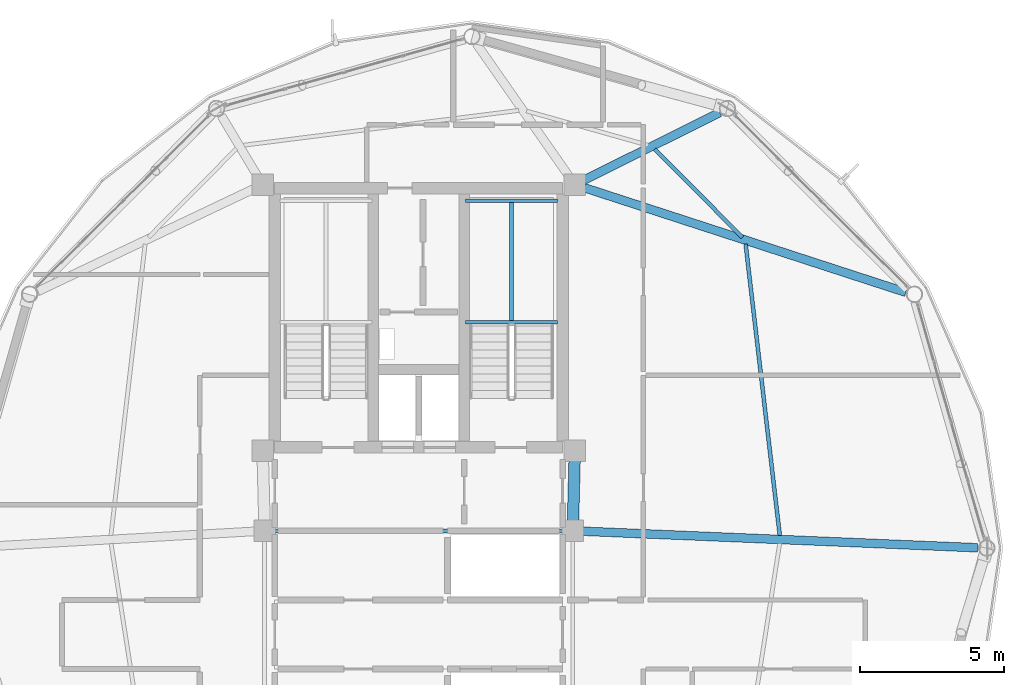
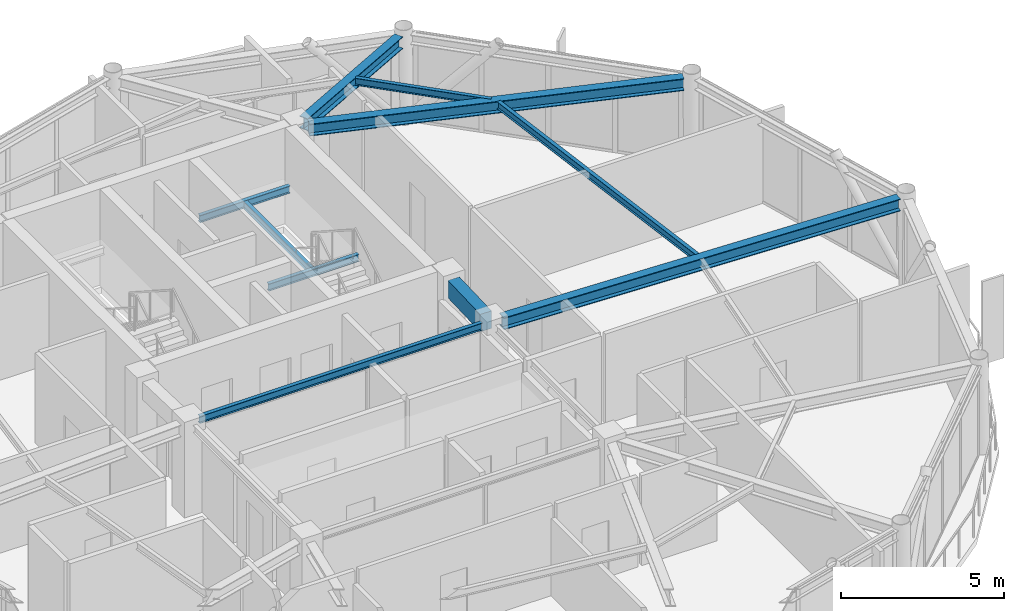
# One storey, part 12 of 24: 10 beams.
"""IFC4 building model written with IfcOpenShell, lengths in metres."""

from ifc_helpers import new_model, si_unit, direction, frame, origin, origin_2d, place, context, subcontext, project, spatial, rectangle, i_section, extrude, material, material_profile, profile_set, type_object, element, save


model = new_model("IFC4")

# Units and contexts
model_context = context("Model", 3, precision=1e-05, world=origin(), true_north=direction((0.0, 1.0)))
body_context = subcontext(model_context, "Body", "Model", "MODEL_VIEW")
ifc_project = project(units=[si_unit("LENGTHUNIT", "METRE"), si_unit("AREAUNIT", "SQUARE_METRE"), si_unit("VOLUMEUNIT", "CUBIC_METRE"), si_unit("PLANEANGLEUNIT", "RADIAN"), si_unit("MASSUNIT", "GRAM", prefix="KILO")], contexts=[model_context])

# Site, building, storey
site_placement = place(None, origin())
site = spatial("IfcSite", under=ifc_project, at=site_placement, CompositionType="ELEMENT")
building_placement = place(site_placement, origin())
building = spatial("IfcBuilding", under=site, at=building_placement, Name="Varnakorn Sky Granary", CompositionType="ELEMENT")
storey_placement = place(building_placement, frame((0.0, 0.0, 281.39990234375)))
storey = spatial("IfcBuildingStorey", under=building, at=storey_placement, Name="L72", CompositionType="ELEMENT", Elevation=281.39990234375)

# Beams
ifc_material_1 = material(Name="Concrete C50/60", Category="concrete")
ifc_material_profile_1 = material_profile(ifc_material_1, rectangle(XDim=0.39990234375, YDim=0.64990234375, at=origin_2d()), Name="RC 400x650")
ifc_profile_set_1 = profile_set([ifc_material_profile_1], Name="Concrete C50/60")
beam_type_1 = type_object("IfcBeamType", Name="BM-LIN-650", PredefinedType="LINTEL", material=ifc_profile_set_1)
beam_1_placement = place(storey_placement, frame((8.4111328125, 3.025146484375, 3.03515625), z_axis=(-0.025227817192, -0.999681727971, 0.0), x_axis=(0.999681727971, -0.025227817192, 0.0)))
element("IfcBeam", 1, at=beam_1_placement, inside=storey, type_object=beam_type_1, Name="Core Spine Framing Beam 2 L72", PredefinedType="LINTEL", context=body_context, shape_type="SweptSolid", body=[
    extrude(rectangle(XDim=0.39990234375, YDim=0.64990234375, at=origin_2d()), origin(), (0.0, 0.0, 1.0), 2.071044921875),
])
ifc_material_2 = material(Name="Steel S355JR", Category="steel")
ifc_material_profile_2 = material_profile(ifc_material_2, i_section(OverallWidth=0.135009765625, OverallDepth=0.27001953125, WebThickness=0.006591796875, FlangeThickness=0.01025390625, at=origin_2d()), Name="IPE 270")
ifc_profile_set_2 = profile_set([ifc_material_profile_2], Name="Steel S355JR")
beam_type_2 = type_object("IfcBeamType", Name="BM-LND-270", PredefinedType="BEAM", material=ifc_profile_set_2)
for number, where, z_axis, x_axis, name in (
    (2, (4.6201171875, 7.840087890625, 1.465087890625), (1.0, 0.0, 0.0), (0.0, 1.0, 0.0), "Stair ST-2 Landing Trimmer Beam A L72-1"),
    (3, (4.6201171875, 12.06005859375, 1.465087890625), (1.0, 0.0, 0.0), (0.0, 1.0, 0.0), "Stair ST-2 Landing Trimmer Beam B L72-1"),
):
    element("IfcBeam", number, at=place(storey_placement, frame(where, z_axis=z_axis, x_axis=x_axis)), inside=storey, type_object=beam_type_2, Name=name, PredefinedType="BEAM", context=body_context, shape_type="SweptSolid", body=[
        extrude(i_section(OverallWidth=0.135009765625, OverallDepth=0.27001953125, WebThickness=0.006591796875, FlangeThickness=0.01025390625, at=origin_2d()), origin(), (0.0, 0.0, 1.0), 3.199951171875),
    ])
beam_2_placement = place(storey_placement, frame((6.219970703125, 7.840087890625, 1.465087890625), z_axis=(0.0, 1.0, 0.0), x_axis=(-1.0, 0.0, 0.0)))
element("IfcBeam", 4, at=beam_2_placement, inside=storey, type_object=beam_type_2, Name="Stair ST-2 Landing Cross Beam C L72-1", PredefinedType="BEAM", context=body_context, shape_type="SweptSolid", body=[
    extrude(i_section(OverallWidth=0.135009765625, OverallDepth=0.27001953125, WebThickness=0.006591796875, FlangeThickness=0.01025390625, at=origin_2d()), origin(), (0.0, 0.0, 1.0), 4.219970703125),
])
ifc_material_profile_3 = material_profile(ifc_material_2, i_section(OverallWidth=0.300048828125, OverallDepth=0.449951171875, WebThickness=0.013916015625, FlangeThickness=0.02587890625, at=origin_2d()), Name="HE 450 B")
ifc_profile_set_3 = profile_set([ifc_material_profile_3], Name="Steel S355JR")
beam_type_3 = type_object("IfcBeamType", Name="BM-RAD-Z5", PredefinedType="BEAM", material=ifc_profile_set_3)
beam_3_placement = place(storey_placement, frame((8.70458984375, 0.585205078125, 3.135009765625), z_axis=(0.999122673349, -0.041879393494, 0.0), x_axis=(0.041879393494, 0.999122673349, 0.0)))
element("IfcBeam", 5, at=beam_3_placement, inside=storey, type_object=beam_type_3, Name="Radial Floor Girder RG01 L72", PredefinedType="BEAM", context=body_context, shape_type="SweptSolid", body=[
    extrude(i_section(OverallWidth=0.300048828125, OverallDepth=0.449951171875, WebThickness=0.013916015625, FlangeThickness=0.02587890625, at=origin_2d()), origin(), (0.0, 0.0, 1.0), 13.711181640625),
])
beam_4_placement = place(storey_placement, frame((8.757568359375, 12.51025390625, 3.135009765625), z_axis=(0.950943787755, -0.309363722066, 0.0), x_axis=(0.309363722066, 0.950943787755, 0.0)))
element("IfcBeam", 6, at=beam_4_placement, inside=storey, type_object=beam_type_3, Name="Radial Floor Girder RG02 L72", PredefinedType="BEAM", context=body_context, shape_type="SweptSolid", body=[
    extrude(i_section(OverallWidth=0.300048828125, OverallDepth=0.449951171875, WebThickness=0.013916015625, FlangeThickness=0.02587890625, at=origin_2d()), origin(), (0.0, 0.0, 1.0), 11.730224609375),
])
beam_5_placement = place(storey_placement, frame((8.73779296875, 12.778076171875, 3.135009765625), z_axis=(0.895426047463, 0.445210280121, 0.0), x_axis=(-0.445210280121, 0.895426047463, 0.0)))
element("IfcBeam", 7, at=beam_5_placement, inside=storey, type_object=beam_type_3, Name="Radial Floor Girder RG03 L72", PredefinedType="BEAM", context=body_context, shape_type="SweptSolid", body=[
    extrude(i_section(OverallWidth=0.300048828125, OverallDepth=0.449951171875, WebThickness=0.013916015625, FlangeThickness=0.02587890625, at=origin_2d()), origin(), (0.0, 0.0, 1.0), 5.267578125),
])
ifc_material_profile_4 = material_profile(ifc_material_2, i_section(OverallWidth=0.135009765625, OverallDepth=0.27001953125, WebThickness=0.006591796875, FlangeThickness=0.01025390625, at=origin_2d()), Name="IPE 270")
ifc_profile_set_4 = profile_set([ifc_material_profile_4], Name="Steel S355JR")
beam_type_4 = type_object("IfcBeamType", Name="BM-SEC-Z5", PredefinedType="BEAM", material=ifc_profile_set_4)
beam_6_placement = place(storey_placement, frame((15.537841796875, 0.43701171875, 3.22509765625), z_axis=(-0.116451969519, 0.993196324397, 0.0), x_axis=(-0.993196324397, -0.116451969519, 0.0)))
element("IfcBeam", 8, at=beam_6_placement, inside=storey, type_object=beam_type_4, Name="Secondary Floor Chord Beam MSB01 L72", PredefinedType="BEAM", context=body_context, shape_type="SweptSolid", body=[
    extrude(i_section(OverallWidth=0.135009765625, OverallDepth=0.27001953125, WebThickness=0.006591796875, FlangeThickness=0.01025390625, at=origin_2d()), origin(), (0.0, 0.0, 1.0), 10.18896484375),
])
beam_7_placement = place(storey_placement, frame((14.236328125, 10.794921875, 3.22509765625), z_axis=(-0.705320987574, 0.708888076136, 0.0), x_axis=(-0.708888076136, -0.705320987574, 0.0)))
element("IfcBeam", 9, at=beam_7_placement, inside=storey, type_object=beam_type_4, Name="Secondary Floor Chord Beam MSB02 L72", PredefinedType="BEAM", context=body_context, shape_type="SweptSolid", body=[
    extrude(i_section(OverallWidth=0.135009765625, OverallDepth=0.27001953125, WebThickness=0.006591796875, FlangeThickness=0.01025390625, at=origin_2d()), origin(), (0.0, 0.0, 1.0), 4.311767578125),
])
beam_8_placement = place(storey_placement, frame((-1.9951171875, 0.60009765625, 3.22509765625), z_axis=(1.0, 0.0, 0.0), x_axis=(0.0, 1.0, 0.0)))
element("IfcBeam", 10, at=beam_8_placement, inside=storey, type_object=beam_type_4, Name="Core Spine Framing Beam 5 L72", PredefinedType="BEAM", context=body_context, shape_type="SweptSolid", body=[
    extrude(i_section(OverallWidth=0.135009765625, OverallDepth=0.27001953125, WebThickness=0.006591796875, FlangeThickness=0.01025390625, at=origin_2d()), origin(), (0.0, 0.0, 1.0), 9.990234375),
])

save(model, "model.ifc")
